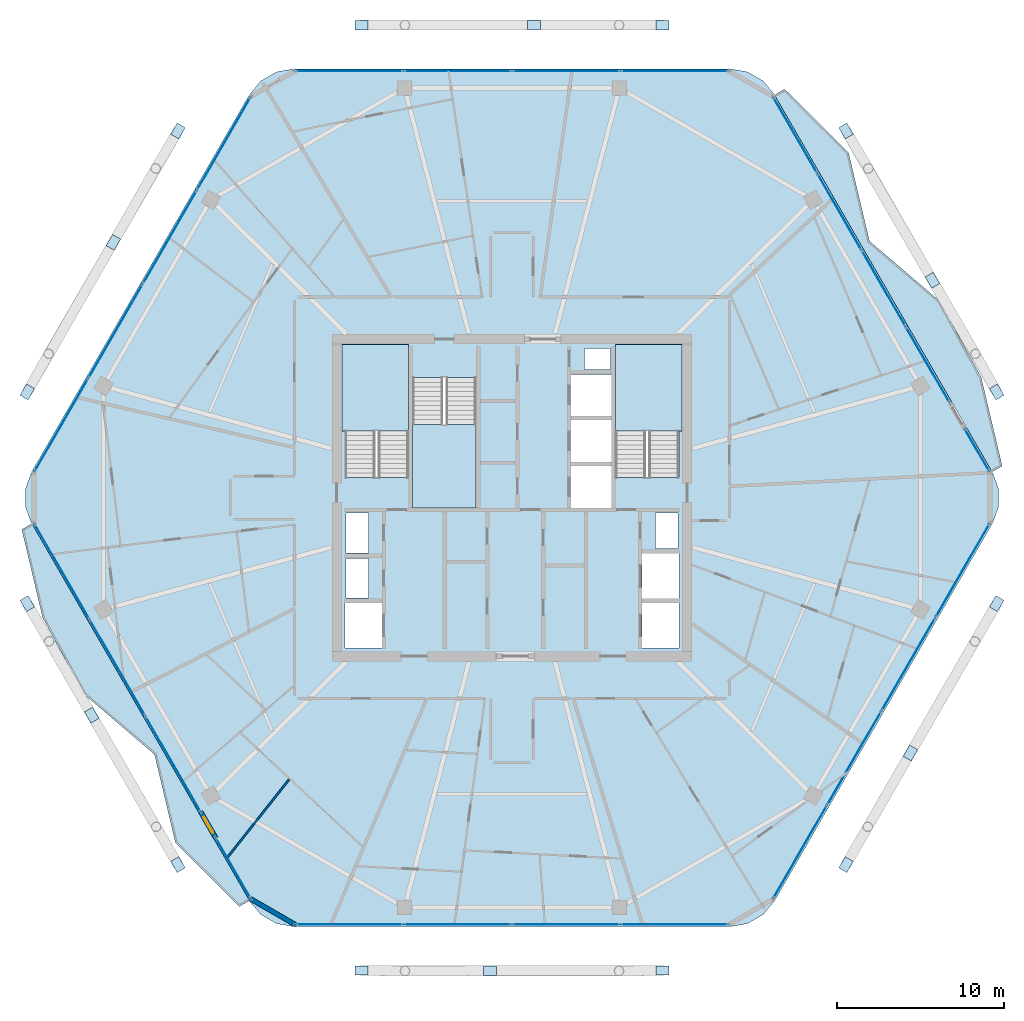
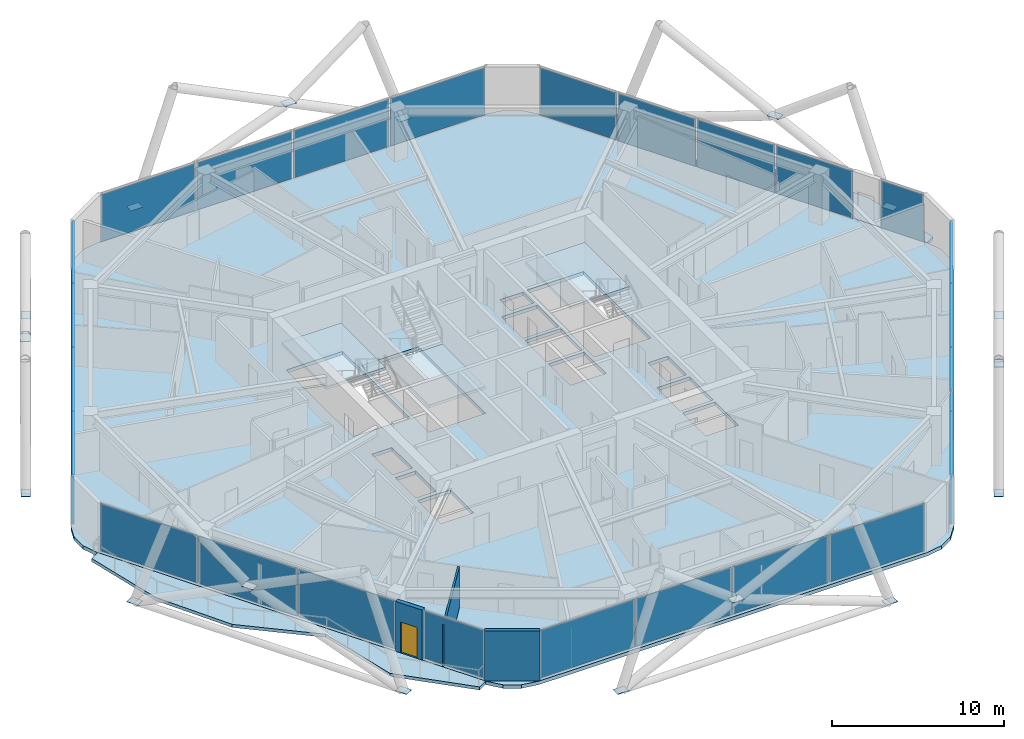
# One storey, part 19 of 27: 43 plates, 6 slabs, 3 walls, 1 door, 1 opening, 11 elements without a shape of their own.
"""IFC4 building model written with IfcOpenShell, lengths in metres."""

from ifc_helpers import new_model, si_unit, direction, frame, frame_2d, origin, origin_2d, place, context, subcontext, project, spatial, polyline, rectangle, outline, extrude, material, layer, layer_set, type_object, element, fill, aggregate, save


model = new_model("IFC4")

# Units and contexts
model_context = context("Model", 3, precision=1e-05, world=origin(), true_north=direction((0.0, 1.0)))
body_context = subcontext(model_context, "Body", "Model", "MODEL_VIEW")
ifc_project = project(units=[si_unit("LENGTHUNIT", "METRE"), si_unit("AREAUNIT", "SQUARE_METRE"), si_unit("VOLUMEUNIT", "CUBIC_METRE"), si_unit("PLANEANGLEUNIT", "RADIAN"), si_unit("MASSUNIT", "GRAM", prefix="KILO")], contexts=[model_context])

# Site, building, storey
site_placement = place(None, origin())
site = spatial("IfcSite", under=ifc_project, at=site_placement, CompositionType="ELEMENT")
building_placement = place(site_placement, origin())
building = spatial("IfcBuilding", under=site, at=building_placement, Name="Zuhravey Tower", CompositionType="ELEMENT")
storey_placement = place(building_placement, frame((0.0, 0.0, 261.60009765625)))
storey = spatial("IfcBuildingStorey", under=building, at=storey_placement, Name="L66", CompositionType="ELEMENT", Elevation=261.60009765625)

# Plates
ifc_material_1 = material(Name="Steel SM460", Category="steel")
ifc_layer_1 = layer(ifc_material_1, 0.031982421875)
ifc_layer_set_1 = layer_set([ifc_layer_1], Name="Steel SM460")
plate_type_1 = type_object("IfcPlateType", Name="Exoskeleton Zone 3 Node Plate ND3", PredefinedType="SHEET", material=ifc_layer_set_1)
for number, where, z_axis, x_axis, name in (
    (1, (65.04345703125, 38.342529296875, -0.47998046875), (0.0, 0.0, 1.0), (-0.5, 0.866025403784, 0.0), "L66 Exoskeleton Node Gusset L66-01"),
    (2, (56.014404296875, 53.981201171875, -0.47998046875), (0.0, 0.0, 1.0), (-0.5, 0.866025403784, 0.0), "L66 Exoskeleton Node Gusset L66-02"),
    (3, (45.029052734375, 60.323486328125, -0.47998046875), (0.0, 0.0, 1.0), (-1.0, 0.0, 0.0), "L66 Exoskeleton Node Gusset L66-03"),
    (4, (26.970947265625, 60.323486328125, -0.47998046875), (0.0, 0.0, 1.0), (-1.0, 0.0, 0.0), "L66 Exoskeleton Node Gusset L66-04"),
    (5, (15.985595703125, 53.981201171875, -0.47998046875), (0.0, 0.0, 1.0), (-0.5, -0.866025403784, 0.0), "L66 Exoskeleton Node Gusset L66-05"),
    (6, (6.95654296875, 38.342529296875, -0.47998046875), (0.0, 0.0, 1.0), (-0.5, -0.866025403784, 0.0), "L66 Exoskeleton Node Gusset L66-06"),
    (7, (6.95654296875, 25.657470703125, -0.47998046875), (0.0, 0.0, 1.0), (0.5, -0.866025403784, 0.0), "L66 Exoskeleton Node Gusset L66-07"),
    (8, (15.985595703125, 10.018798828125, -0.47998046875), (0.0, 0.0, 1.0), (0.5, -0.866025403784, 0.0), "L66 Exoskeleton Node Gusset L66-08"),
    (9, (26.970947265625, 3.676513671875, -0.47998046875), (0.0, 0.0, 1.0), (1.0, 0.0, 0.0), "L66 Exoskeleton Node Gusset L66-09"),
    (10, (45.029052734375, 3.676513671875, -0.47998046875), (0.0, 0.0, 1.0), (1.0, 0.0, 0.0), "L66 Exoskeleton Node Gusset L66-10"),
    (11, (56.014404296875, 10.018798828125, -0.47998046875), (0.0, 0.0, 1.0), (0.5, 0.866025403784, 0.0), "L66 Exoskeleton Node Gusset L66-11"),
    (12, (65.04345703125, 25.657470703125, -0.47998046875), (0.0, 0.0, 1.0), (0.5, 0.866025403784, 0.0), "L66 Exoskeleton Node Gusset L66-12"),
    (13, (61.197265625, 45.0341796875, 3.31982421875), (0.0, 0.0, 1.0), (-0.5, 0.866025403784, 0.0), "L66 Face 1 Diagrid X-Crossing Plate"),
    (14, (37.310791015625, 60.323486328125, 3.31982421875), (0.0, 0.0, 1.0), (-1.0, 0.0, 0.0), "L66 Face 2 Diagrid X-Crossing Plate"),
    (15, (12.11328125, 47.30419921875, 3.31982421875), (0.0, 0.0, 1.0), (-0.5, -0.866025403784, 0.0), "L66 Face 3 Diagrid X-Crossing Plate"),
    (16, (10.815673828125, 18.973388671875, 3.31982421875), (0.0, 0.0, 1.0), (0.5, -0.866025403784, 0.0), "L66 Face 4 Diagrid X-Crossing Plate"),
    (17, (34.689208984375, 3.661376953125, 3.31982421875), (0.0, 0.0, 1.0), (1.0, 0.0, 0.0), "L66 Face 5 Diagrid X-Crossing Plate"),
    (18, (59.87353515625, 16.703125, 3.31982421875), (0.0, 0.0, 1.0), (0.5, 0.866025403784, 0.0), "L66 Face 6 Diagrid X-Crossing Plate"),
):
    element("IfcPlate", number, at=place(storey_placement, frame(where, z_axis=z_axis, x_axis=x_axis)), inside=storey, type_object=plate_type_1, Name=name, PredefinedType="SHEET", context=body_context, shape_type="SweptSolid", body=[
        extrude(rectangle(XDim=0.780029296875, YDim=0.56005859375, at=origin_2d()), origin(), (0.0, 0.0, 1.0), 0.031982421875),
    ])

# Slabs
ifc_material_2 = material(Name="Concrete C50/60", Category="concrete")
ifc_layer_2 = layer(ifc_material_2, 0.25)
ifc_layer_set_2 = layer_set([ifc_layer_2], Name="Concrete C50/60")
slab_type_1 = type_object("IfcSlabType", Name="Residential Acoustic Slab 250", PredefinedType="FLOOR", material=ifc_layer_set_2)
slab_1_placement = place(storey_placement, frame((0.0, 0.0, -0.25)))
element("IfcSlab", 19, at=slab_1_placement, inside=storey, type_object=slab_type_1, Name="L66 Floor Slab FS25", PredefinedType="FLOOR", context=body_context, shape_type="SweptSolid", body=[
    extrude(outline(polyline([(64.78515625, 30.449951171875), (65.1533203125, 31.461669921875), (65.1533203125, 32.538330078125), (64.78515625, 33.550048828125), (51.73486328125, 56.153564453125), (51.04296875, 56.978515625), (50.110595703125, 57.5166015625), (49.05029296875, 57.70361328125), (22.94970703125, 57.70361328125), (21.889404296875, 57.5166015625), (20.95703125, 56.978515625), (20.26513671875, 56.153564453125), (7.21484375, 33.550048828125), (6.8466796875, 32.538330078125), (6.8466796875, 31.461669921875), (7.21484375, 30.449951171875), (20.26513671875, 7.846435546875), (20.95703125, 7.021484375), (21.889404296875, 6.4833984375), (22.94970703125, 6.29638671875), (49.05029296875, 6.29638671875), (50.110595703125, 6.4833984375), (51.04296875, 7.021484375), (51.73486328125, 7.846435546875), (64.78515625, 30.449951171875)]), holes=[polyline([(29.800048828125, 33.20068359375), (29.800048828125, 41.0), (26.0, 41.0), (26.0, 33.20068359375), (29.800048828125, 33.20068359375)]), polyline([(46.0, 33.20068359375), (46.0, 41.0), (42.199951171875, 41.0), (42.199951171875, 33.20068359375), (46.0, 33.20068359375)]), polyline([(30.050048828125, 39.199462890625), (30.050048828125, 31.39990234375), (33.85009765625, 31.39990234375), (33.85009765625, 39.199462890625), (30.050048828125, 39.199462890625)]), polyline([(39.550048828125, 31.39990234375), (41.949951171875, 31.39990234375), (41.949951171875, 33.89990234375), (39.550048828125, 33.89990234375), (39.550048828125, 31.39990234375)]), polyline([(39.550048828125, 34.14990234375), (41.949951171875, 34.14990234375), (41.949951171875, 36.64990234375), (39.550048828125, 36.64990234375), (39.550048828125, 34.14990234375)]), polyline([(39.550048828125, 36.89990234375), (41.949951171875, 36.89990234375), (41.949951171875, 39.39990234375), (39.550048828125, 39.39990234375), (39.550048828125, 36.89990234375)]), polyline([(26.0, 23.0), (28.199951171875, 23.0), (28.199951171875, 25.699951171875), (26.0, 25.699951171875), (26.0, 23.0)]), polyline([(43.800048828125, 23.0), (46.0, 23.0), (46.0, 25.699951171875), (43.800048828125, 25.699951171875), (43.800048828125, 23.0)]), polyline([(43.800048828125, 25.949951171875), (46.0, 25.949951171875), (46.0, 28.64990234375), (43.800048828125, 28.64990234375), (43.800048828125, 25.949951171875)]), polyline([(26.050048828125, 26.0), (27.39990234375, 26.0), (27.39990234375, 28.35009765625), (26.050048828125, 28.35009765625), (26.050048828125, 26.0)]), polyline([(26.050048828125, 28.699951171875), (27.39990234375, 28.699951171875), (27.39990234375, 31.10009765625), (26.050048828125, 31.10009765625), (26.050048828125, 28.699951171875)]), polyline([(44.60009765625, 28.949951171875), (45.949951171875, 28.949951171875), (45.949951171875, 31.10009765625), (44.60009765625, 31.10009765625), (44.60009765625, 28.949951171875)]), polyline([(40.35009765625, 39.699951171875), (41.89990234375, 39.699951171875), (41.89990234375, 40.949951171875), (40.35009765625, 40.949951171875), (40.35009765625, 39.699951171875)])]), origin(), (0.0, 0.0, 1.0), 0.25),
])
ifc_material_3 = material(Name="Concrete C40/50", Category="concrete")
ifc_layer_3 = layer(ifc_material_3, 0.219970703125)
ifc_layer_set_3 = layer_set([ifc_layer_3], Name="Concrete C40/50")
slab_type_2 = type_object("IfcSlabType", Name="Sinusoidal Residential Wave Balcony 220", PredefinedType="FLOOR", material=ifc_layer_set_3)
slab_2_placement = place(storey_placement, frame((0.0, 0.0, -0.22021484375)))
element("IfcSlab", 20, at=slab_2_placement, inside=storey, type_object=slab_type_2, Name="L66 Face 1 Wave Balcony WB22", PredefinedType="FLOOR", context=body_context, shape_type="SweptSolid", body=[
    extrude(outline(polyline([(64.767822265625, 33.550048828125), (51.726318359375, 56.138671875), (52.33251953125, 56.488525390625), (56.1650390625, 52.677734375), (57.420166015625, 47.378662109375), (61.630615234375, 43.785888671875), (64.118896484375, 39.198974609375), (65.3740234375, 33.89990234375), (64.767822265625, 33.550048828125)])), origin(), (0.0, 0.0, 1.0), 0.22021484375),
])
slab_3_placement = place(storey_placement, frame((0.0, 0.0, -0.22021484375)))
element("IfcSlab", 21, at=slab_3_placement, inside=storey, type_object=slab_type_2, Name="L66 Face 4 Wave Balcony WB22", PredefinedType="FLOOR", context=body_context, shape_type="SweptSolid", body=[
    extrude(outline(polyline([(7.232177734375, 30.449951171875), (20.273681640625, 7.861328125), (19.66748046875, 7.511474609375), (15.8349609375, 11.322265625), (14.579833984375, 16.621337890625), (10.369384765625, 20.214111328125), (7.881103515625, 24.801025390625), (6.6259765625, 30.10009765625), (7.232177734375, 30.449951171875)])), origin(), (0.0, 0.0, 1.0), 0.22021484375),
])

# Stair, slab
stair_type = type_object("IfcStairType", Name="Housing Storey Stair Assembly 3800", PredefinedType="HALF_TURN_STAIR", material=ifc_material_3)
stair_1_placement = place(storey_placement, origin())
stair_1 = element("IfcStair", 22, at=stair_1_placement, inside=storey, type_object=stair_type, Name="L66 Core Exit Stair ST1", PredefinedType="HALF_TURN_STAIR")
ifc_layer_4 = layer(ifc_material_3, 0.199951171875)
ifc_layer_set_4 = layer_set([ifc_layer_4], Name="Concrete C40/50")
slab_type_3 = type_object("IfcSlabType", Name="Stair Landing Slab 200", PredefinedType="LANDING", material=ifc_layer_set_4)
slab_4_placement = place(storey_placement, frame((0.0, 0.0, 1.699951171875)))
slab_4 = element("IfcSlab", 23, at=slab_4_placement, type_object=slab_type_3, Name="ST1 landing 1", PredefinedType="LANDING", context=body_context, shape_type="SweptSolid", body=[
    extrude(outline(polyline([(29.800048828125, 36.0), (29.800048828125, 41.197998046875), (25.802001953125, 41.197998046875), (25.802001953125, 36.0), (29.800048828125, 36.0)])), origin(), (0.0, 0.0, 1.0), 0.199951171875),
])
aggregate(stair_1, [slab_4])

stair_2_placement = place(storey_placement, origin())
stair_2 = element("IfcStair", 24, at=stair_2_placement, inside=storey, type_object=stair_type, Name="L66 Core Exit Stair ST2", PredefinedType="HALF_TURN_STAIR")
slab_5_placement = place(storey_placement, frame((0.0, 0.0, 1.699951171875)))
slab_5 = element("IfcSlab", 25, at=slab_5_placement, type_object=slab_type_3, Name="ST2 landing 1", PredefinedType="LANDING", context=body_context, shape_type="SweptSolid", body=[
    extrude(outline(polyline([(46.197998046875, 36.0), (46.197998046875, 41.197998046875), (42.199951171875, 41.197998046875), (42.199951171875, 36.0), (46.197998046875, 36.0)])), origin(), (0.0, 0.0, 1.0), 0.199951171875),
])
aggregate(stair_2, [slab_5])

stair_3_placement = place(storey_placement, origin())
stair_3 = element("IfcStair", 26, at=stair_3_placement, inside=storey, type_object=stair_type, Name="L66 Core Exit Stair ST3", PredefinedType="HALF_TURN_STAIR")
slab_6_placement = place(storey_placement, frame((0.0, 0.0, 1.699951171875)))
slab_6 = element("IfcSlab", 27, at=slab_6_placement, type_object=slab_type_3, Name="ST3 landing 1", PredefinedType="LANDING", context=body_context, shape_type="SweptSolid", body=[
    extrude(outline(polyline([(30.050048828125, 36.39990234375), (30.050048828125, 31.39990234375), (33.85009765625, 31.39990234375), (33.85009765625, 36.39990234375), (30.050048828125, 36.39990234375)])), origin(), (0.0, 0.0, 1.0), 0.199951171875),
])
aggregate(stair_3, [slab_6])

# Curtain wall, plates
ifc_material_4 = material(Name="Thermally broken anodised aluminium", Category="aluminium")
curtain_wall_type = type_object("IfcCurtainWallType", Name="Zone 3-4 High-Rise Curtain Wall CW4", PredefinedType="NOTDEFINED", material=ifc_material_4)
curtain_wall_1_placement = place(storey_placement, origin())
curtain_wall_1 = element("IfcCurtainWall", 28, at=curtain_wall_1_placement, inside=storey, type_object=curtain_wall_type, Name="L66 CW4 CW-L66-F6-1", PredefinedType="NOTDEFINED")
ifc_material_5 = material(Name="Triple low-E insulated vision glass", Category="glass")
ifc_layer_5 = layer(ifc_material_5, 0.0419921875)
ifc_layer_set_5 = layer_set([ifc_layer_5], Name="Triple low-E insulated vision glass")
plate_type_2 = type_object("IfcPlateType", Name="Triple Low-E Vision Panel", PredefinedType="CURTAIN_PANEL", material=ifc_layer_set_5)
plate_1_placement = place(storey_placement, frame((63.00732421875, 27.650634765625, 0.08984375), z_axis=(0.0, 0.0, 1.0), x_axis=(-0.500000957414, -0.866024851021, 0.0)))
plate_1 = element("IfcPlate", 29, at=plate_1_placement, type_object=plate_type_2, Name="CW4 panel 1.1", PredefinedType="CURTAIN_PANEL", context=body_context, shape_type="SweptSolid", body=[
    extrude(rectangle(XDim=6.371337890625, YDim=0.0419921875, at=origin_2d()), origin(), (0.0, 0.0, 1.0), 3.3701171875),
])
plate_2_placement = place(storey_placement, frame((59.765380859375, 22.03564453125, 0.08984375), z_axis=(0.0, 0.0, 1.0), x_axis=(-0.500000957414, -0.866024851021, 0.0)))
plate_2 = element("IfcPlate", 30, at=plate_2_placement, type_object=plate_type_2, Name="CW4 panel 2.1", PredefinedType="CURTAIN_PANEL", context=body_context, shape_type="SweptSolid", body=[
    extrude(rectangle(XDim=6.416259765625, YDim=0.0419921875, at=origin_2d()), origin(), (0.0, 0.0, 1.0), 3.3701171875),
])
plate_3_placement = place(storey_placement, frame((56.51220703125, 16.40087890625, 0.08984375), z_axis=(0.0, 0.0, 1.0), x_axis=(-0.500000957414, -0.866024851021, 0.0)))
plate_3 = element("IfcPlate", 31, at=plate_3_placement, type_object=plate_type_2, Name="CW4 panel 3.1", PredefinedType="CURTAIN_PANEL", context=body_context, shape_type="SweptSolid", body=[
    extrude(rectangle(XDim=6.416259765625, YDim=0.0419921875, at=origin_2d()), origin(), (0.0, 0.0, 1.0), 3.3701171875),
])
plate_4_placement = place(storey_placement, frame((53.270263671875, 10.78564453125, 0.08984375), z_axis=(0.0, 0.0, 1.0), x_axis=(-0.500000957414, -0.866024851021, 0.0)))
plate_4 = element("IfcPlate", 32, at=plate_4_placement, type_object=plate_type_2, Name="CW4 panel 4.1", PredefinedType="CURTAIN_PANEL", context=body_context, shape_type="SweptSolid", body=[
    extrude(rectangle(XDim=6.371337890625, YDim=0.0419921875, at=origin_2d()), origin(), (0.0, 0.0, 1.0), 3.3701171875),
])
aggregate(curtain_wall_1, [plate_1, plate_2, plate_3, plate_4])

curtain_wall_2_placement = place(storey_placement, origin())
curtain_wall_2 = element("IfcCurtainWall", 33, at=curtain_wall_2_placement, inside=storey, type_object=curtain_wall_type, Name="L66 CW4 CW-L66-F5-1", PredefinedType="NOTDEFINED")
plate_5_placement = place(storey_placement, frame((45.737060546875, 6.436279296875, 0.08984375), z_axis=(0.0, 0.0, 1.0), x_axis=(-1.0, 0.0, 0.0)))
plate_5 = element("IfcPlate", 34, at=plate_5_placement, type_object=plate_type_2, Name="CW4 panel 1.1", PredefinedType="CURTAIN_PANEL", context=body_context, shape_type="SweptSolid", body=[
    extrude(rectangle(XDim=6.371337890625, YDim=0.0419921875, at=origin_2d()), origin(), (0.0, 0.0, 1.0), 3.3701171875),
])
plate_6_placement = place(storey_placement, frame((39.253173828125, 6.436279296875, 0.08984375), z_axis=(0.0, 0.0, 1.0), x_axis=(-1.0, 0.0, 0.0)))
plate_6 = element("IfcPlate", 35, at=plate_6_placement, type_object=plate_type_2, Name="CW4 panel 2.1", PredefinedType="CURTAIN_PANEL", context=body_context, shape_type="SweptSolid", body=[
    extrude(rectangle(XDim=6.416259765625, YDim=0.0419921875, at=origin_2d()), origin(), (0.0, 0.0, 1.0), 3.3701171875),
])
plate_7_placement = place(storey_placement, frame((32.746826171875, 6.436279296875, 0.08984375), z_axis=(0.0, 0.0, 1.0), x_axis=(-1.0, 0.0, 0.0)))
plate_7 = element("IfcPlate", 36, at=plate_7_placement, type_object=plate_type_2, Name="CW4 panel 3.1", PredefinedType="CURTAIN_PANEL", context=body_context, shape_type="SweptSolid", body=[
    extrude(rectangle(XDim=6.416259765625, YDim=0.0419921875, at=origin_2d()), origin(), (0.0, 0.0, 1.0), 3.3701171875),
])
plate_8_placement = place(storey_placement, frame((26.262939453125, 6.436279296875, 0.08984375), z_axis=(0.0, 0.0, 1.0), x_axis=(-1.0, 0.0, 0.0)))
plate_8 = element("IfcPlate", 37, at=plate_8_placement, type_object=plate_type_2, Name="CW4 panel 4.1", PredefinedType="CURTAIN_PANEL", context=body_context, shape_type="SweptSolid", body=[
    extrude(rectangle(XDim=6.371337890625, YDim=0.0419921875, at=origin_2d()), origin(), (0.0, 0.0, 1.0), 3.3701171875),
])
aggregate(curtain_wall_2, [plate_5, plate_6, plate_7, plate_8])

# Curtain wall, plate
curtain_wall_3_placement = place(storey_placement, origin())
curtain_wall_3 = element("IfcCurtainWall", 38, at=curtain_wall_3_placement, inside=storey, type_object=curtain_wall_type, Name="L66 CW4 CW-L66-F4-1", PredefinedType="NOTDEFINED")
plate_9_placement = place(storey_placement, frame((19.296875, 9.80322265625, 0.08984375), z_axis=(0.0, 0.0, 1.0), x_axis=(-0.500004084278, 0.866023045713, 0.0)))
plate_9 = element("IfcPlate", 39, at=plate_9_placement, type_object=plate_type_2, Name="CW4 panel 1.1", PredefinedType="CURTAIN_PANEL", context=body_context, shape_type="SweptSolid", body=[
    extrude(rectangle(XDim=4.1025390625, YDim=0.0419921875, at=origin_2d()), origin(), (0.0, 0.0, 1.0), 3.3701171875),
])
aggregate(curtain_wall_3, [plate_9])

# Curtain wall, plates
curtain_wall_4_placement = place(storey_placement, origin())
curtain_wall_4 = element("IfcCurtainWall", 40, at=curtain_wall_4_placement, inside=storey, type_object=curtain_wall_type, Name="L66 CW4 CW-L66-F4-2", PredefinedType="NOTDEFINED")
plate_10_placement = place(storey_placement, frame((15.69482421875, 16.042236328125, 0.08984375), z_axis=(0.0, 0.0, 1.0), x_axis=(-0.49999943748, 0.866025728555, 0.0)))
plate_10 = element("IfcPlate", 41, at=plate_10_placement, type_object=plate_type_2, Name="CW4 panel 1.1", PredefinedType="CURTAIN_PANEL", context=body_context, shape_type="SweptSolid", body=[
    extrude(rectangle(XDim=6.5458984375, YDim=0.0419921875, at=origin_2d()), origin(), (0.0, 0.0, 1.0), 3.3701171875),
])
plate_11_placement = place(storey_placement, frame((12.365478515625, 21.80859375, 0.08984375), z_axis=(0.0, 0.0, 1.0), x_axis=(-0.49999943748, 0.866025728555, 0.0)))
plate_11 = element("IfcPlate", 42, at=plate_11_placement, type_object=plate_type_2, Name="CW4 panel 2.1", PredefinedType="CURTAIN_PANEL", context=body_context, shape_type="SweptSolid", body=[
    extrude(rectangle(XDim=6.5908203125, YDim=0.0419921875, at=origin_2d()), origin(), (0.0, 0.0, 1.0), 3.3701171875),
])
plate_12_placement = place(storey_placement, frame((9.036376953125, 27.5751953125, 0.08984375), z_axis=(0.0, 0.0, 1.0), x_axis=(-0.49999943748, 0.866025728555, 0.0)))
plate_12 = element("IfcPlate", 43, at=plate_12_placement, type_object=plate_type_2, Name="CW4 panel 3.1", PredefinedType="CURTAIN_PANEL", context=body_context, shape_type="SweptSolid", body=[
    extrude(rectangle(XDim=6.5458984375, YDim=0.0419921875, at=origin_2d()), origin(), (0.0, 0.0, 1.0), 3.3701171875),
])
aggregate(curtain_wall_4, [plate_10, plate_11, plate_12])

curtain_wall_5_placement = place(storey_placement, origin())
curtain_wall_5 = element("IfcCurtainWall", 44, at=curtain_wall_5_placement, inside=storey, type_object=curtain_wall_type, Name="L66 CW4 CW-L66-F3-1", PredefinedType="NOTDEFINED")
plate_13_placement = place(storey_placement, frame((8.99267578125, 36.349365234375, 0.08984375), z_axis=(0.0, 0.0, 1.0), x_axis=(0.500000957414, 0.866024851021, 0.0)))
plate_13 = element("IfcPlate", 45, at=plate_13_placement, type_object=plate_type_2, Name="CW4 panel 1.1", PredefinedType="CURTAIN_PANEL", context=body_context, shape_type="SweptSolid", body=[
    extrude(rectangle(XDim=6.371337890625, YDim=0.0419921875, at=origin_2d()), origin(), (0.0, 0.0, 1.0), 3.3701171875),
])
plate_14_placement = place(storey_placement, frame((12.234619140625, 41.96435546875, 0.08984375), z_axis=(0.0, 0.0, 1.0), x_axis=(0.500000957414, 0.866024851021, 0.0)))
plate_14 = element("IfcPlate", 46, at=plate_14_placement, type_object=plate_type_2, Name="CW4 panel 2.1", PredefinedType="CURTAIN_PANEL", context=body_context, shape_type="SweptSolid", body=[
    extrude(rectangle(XDim=6.416259765625, YDim=0.0419921875, at=origin_2d()), origin(), (0.0, 0.0, 1.0), 3.3701171875),
])
plate_15_placement = place(storey_placement, frame((15.48779296875, 47.59912109375, 0.08984375), z_axis=(0.0, 0.0, 1.0), x_axis=(0.500000957414, 0.866024851021, 0.0)))
plate_15 = element("IfcPlate", 47, at=plate_15_placement, type_object=plate_type_2, Name="CW4 panel 3.1", PredefinedType="CURTAIN_PANEL", context=body_context, shape_type="SweptSolid", body=[
    extrude(rectangle(XDim=6.416259765625, YDim=0.0419921875, at=origin_2d()), origin(), (0.0, 0.0, 1.0), 3.3701171875),
])
plate_16_placement = place(storey_placement, frame((18.729736328125, 53.21435546875, 0.08984375), z_axis=(0.0, 0.0, 1.0), x_axis=(0.500000957414, 0.866024851021, 0.0)))
plate_16 = element("IfcPlate", 48, at=plate_16_placement, type_object=plate_type_2, Name="CW4 panel 4.1", PredefinedType="CURTAIN_PANEL", context=body_context, shape_type="SweptSolid", body=[
    extrude(rectangle(XDim=6.371337890625, YDim=0.0419921875, at=origin_2d()), origin(), (0.0, 0.0, 1.0), 3.3701171875),
])
aggregate(curtain_wall_5, [plate_13, plate_14, plate_15, plate_16])

curtain_wall_6_placement = place(storey_placement, origin())
curtain_wall_6 = element("IfcCurtainWall", 49, at=curtain_wall_6_placement, inside=storey, type_object=curtain_wall_type, Name="L66 CW4 CW-L66-F2-1", PredefinedType="NOTDEFINED")
plate_17_placement = place(storey_placement, frame((26.262939453125, 57.563720703125, 0.08984375), z_axis=(0.0, 0.0, 1.0), x_axis=(1.0, 0.0, 0.0)))
plate_17 = element("IfcPlate", 50, at=plate_17_placement, type_object=plate_type_2, Name="CW4 panel 1.1", PredefinedType="CURTAIN_PANEL", context=body_context, shape_type="SweptSolid", body=[
    extrude(rectangle(XDim=6.371337890625, YDim=0.0419921875, at=origin_2d()), origin(), (0.0, 0.0, 1.0), 3.3701171875),
])
plate_18_placement = place(storey_placement, frame((32.746826171875, 57.563720703125, 0.08984375), z_axis=(0.0, 0.0, 1.0), x_axis=(1.0, 0.0, 0.0)))
plate_18 = element("IfcPlate", 51, at=plate_18_placement, type_object=plate_type_2, Name="CW4 panel 2.1", PredefinedType="CURTAIN_PANEL", context=body_context, shape_type="SweptSolid", body=[
    extrude(rectangle(XDim=6.416259765625, YDim=0.0419921875, at=origin_2d()), origin(), (0.0, 0.0, 1.0), 3.3701171875),
])
plate_19_placement = place(storey_placement, frame((39.253173828125, 57.563720703125, 0.08984375), z_axis=(0.0, 0.0, 1.0), x_axis=(1.0, 0.0, 0.0)))
plate_19 = element("IfcPlate", 52, at=plate_19_placement, type_object=plate_type_2, Name="CW4 panel 3.1", PredefinedType="CURTAIN_PANEL", context=body_context, shape_type="SweptSolid", body=[
    extrude(rectangle(XDim=6.416259765625, YDim=0.0419921875, at=origin_2d()), origin(), (0.0, 0.0, 1.0), 3.3701171875),
])
plate_20_placement = place(storey_placement, frame((45.737060546875, 57.563720703125, 0.08984375), z_axis=(0.0, 0.0, 1.0), x_axis=(1.0, 0.0, 0.0)))
plate_20 = element("IfcPlate", 53, at=plate_20_placement, type_object=plate_type_2, Name="CW4 panel 4.1", PredefinedType="CURTAIN_PANEL", context=body_context, shape_type="SweptSolid", body=[
    extrude(rectangle(XDim=6.371337890625, YDim=0.0419921875, at=origin_2d()), origin(), (0.0, 0.0, 1.0), 3.3701171875),
])
aggregate(curtain_wall_6, [plate_17, plate_18, plate_19, plate_20])

curtain_wall_7_placement = place(storey_placement, origin())
curtain_wall_7 = element("IfcCurtainWall", 54, at=curtain_wall_7_placement, inside=storey, type_object=curtain_wall_type, Name="L66 CW4 CW-L66-F1-1", PredefinedType="NOTDEFINED")
plate_21_placement = place(storey_placement, frame((52.971923828125, 53.730712890625, 0.08984375), z_axis=(0.0, 0.0, 1.0), x_axis=(0.499999534216, -0.866025672705, 0.0)))
plate_21 = element("IfcPlate", 55, at=plate_21_placement, type_object=plate_type_2, Name="CW4 panel 1.1", PredefinedType="CURTAIN_PANEL", context=body_context, shape_type="SweptSolid", body=[
    extrude(rectangle(XDim=5.178466796875, YDim=0.0419921875, at=origin_2d()), origin(), (0.0, 0.0, 1.0), 3.3701171875),
])
plate_22_placement = place(storey_placement, frame((55.61767578125, 49.148681640625, 0.08984375), z_axis=(0.0, 0.0, 1.0), x_axis=(0.499999534216, -0.866025672705, 0.0)))
plate_22 = element("IfcPlate", 56, at=plate_22_placement, type_object=plate_type_2, Name="CW4 panel 2.1", PredefinedType="CURTAIN_PANEL", context=body_context, shape_type="SweptSolid", body=[
    extrude(rectangle(XDim=5.2236328125, YDim=0.0419921875, at=origin_2d()), origin(), (0.0, 0.0, 1.0), 3.3701171875),
])
plate_23_placement = place(storey_placement, frame((58.2744140625, 44.546875, 0.08984375), z_axis=(0.0, 0.0, 1.0), x_axis=(0.499999534216, -0.866025672705, 0.0)))
plate_23 = element("IfcPlate", 57, at=plate_23_placement, type_object=plate_type_2, Name="CW4 panel 3.1", PredefinedType="CURTAIN_PANEL", context=body_context, shape_type="SweptSolid", body=[
    extrude(rectangle(XDim=5.2236328125, YDim=0.0419921875, at=origin_2d()), origin(), (0.0, 0.0, 1.0), 3.3701171875),
])
plate_24_placement = place(storey_placement, frame((60.919921875, 39.96484375, 0.08984375), z_axis=(0.0, 0.0, 1.0), x_axis=(0.499999534216, -0.866025672705, 0.0)))
plate_24 = element("IfcPlate", 58, at=plate_24_placement, type_object=plate_type_2, Name="CW4 panel 4.1", PredefinedType="CURTAIN_PANEL", context=body_context, shape_type="SweptSolid", body=[
    extrude(rectangle(XDim=5.178466796875, YDim=0.0419921875, at=origin_2d()), origin(), (0.0, 0.0, 1.0), 3.3701171875),
])
aggregate(curtain_wall_7, [plate_21, plate_22, plate_23, plate_24])

# Curtain wall, plate
curtain_wall_8_placement = place(storey_placement, origin())
curtain_wall_8 = element("IfcCurtainWall", 59, at=curtain_wall_8_placement, inside=storey, type_object=curtain_wall_type, Name="L66 CW4 CW-L66-F1-2", PredefinedType="NOTDEFINED")
plate_25_placement = place(storey_placement, frame((63.877197265625, 34.84228515625, 0.08984375), z_axis=(0.0, 0.0, 1.0), x_axis=(0.500005247766, -0.866022373964, 0.0)))
plate_25 = element("IfcPlate", 60, at=plate_25_placement, type_object=plate_type_2, Name="CW4 panel 1.1", PredefinedType="CURTAIN_PANEL", context=body_context, shape_type="SweptSolid", body=[
    extrude(rectangle(XDim=2.89111328125, YDim=0.0419921875, at=origin_2d()), origin(), (0.0, 0.0, 1.0), 3.3701171875),
])
aggregate(curtain_wall_8, [plate_25])

# Wall
ifc_material_6 = material(Name="Precast concrete C40/50", Category="concrete")
ifc_layer_6 = layer(ifc_material_6, 0.280029296875)
ifc_layer_set_6 = layer_set([ifc_layer_6], Name="Precast concrete C40/50")
wall_type_1 = type_object("IfcWallType", Name="Crown Architectural Wall 280", PredefinedType="SOLIDWALL", material=ifc_layer_set_6)
wall_1_placement = place(storey_placement, frame((23.069580078125, 6.388916015625, 0.0), z_axis=(0.0, 0.0, 1.0), x_axis=(-0.866028773314, 0.499994163758, 0.0)))
element("IfcWall", 61, at=wall_1_placement, inside=storey, type_object=wall_type_1, Name="L66 Rounded Corner Closure Wall EW28-04", PredefinedType="SOLIDWALL", context=body_context, shape_type="SweptSolid", body=[
    extrude(rectangle(XDim=3.21484375, YDim=0.280029296875, at=frame_2d((1.607421875, 0.0))), origin(), (0.0, 0.0, 1.0), 3.5498046875),
])

# Wall, opening, door
wall_2_placement = place(storey_placement, frame((18.248779296875, 11.61865234375, 0.0), z_axis=(0.0, 0.0, 1.0), x_axis=(-0.499982180423, 0.866035691677, 0.0)))
wall_2 = element("IfcWall", 62, at=wall_2_placement, inside=storey, type_object=wall_type_1, Name="L66 Face 4 Facade Pier EW28-1", PredefinedType="SOLIDWALL", context=body_context, shape_type="SweptSolid", body=[
    extrude(rectangle(XDim=1.7900390625, YDim=0.280029296875, at=frame_2d((0.89501953125, 0.0))), origin(), (0.0, 0.0, 1.0), 3.5498046875),
])
opening_placement = place(wall_2_placement, frame((0.344970703125, 0.0, 0.0)))
opening = element("IfcOpeningElement", 63, at=opening_placement, cuts=wall_2, Name="Opening BLD1", PredefinedType="OPENING", context=body_context, shape_type="SweptSolid", body=[
    extrude(rectangle(XDim=1.10009765625, YDim=2.199951171875, at=frame_2d((0.550048828125, 1.10009765625))), frame((0.0, 0.152099609375, 0.0), z_axis=(0.0, -1.0, 0.0), x_axis=(1.0, 0.0, 0.0)), (0.0, 0.0, 1.0), 0.303955078125),
])
ifc_material_7 = material(Name="Thermally broken aluminium and low-E glass", Category="aluminium")
door_type = type_object("IfcDoorType", Name="Balcony & Sky-Tray Glazed Door 1100x2200", OperationType="NOTDEFINED", PredefinedType="DOOR", material=ifc_material_7)
door_placement = place(opening_placement, frame((1.10009765625, 0.0, 0.0), z_axis=(0.0, 0.0, 1.0), x_axis=(-1.0, 0.0, 0.0)))
door = element("IfcDoor", 64, at=door_placement, inside=storey, type_object=door_type, Name="L66 Face 4 Wave Balcony Door", OperationType="SINGLE_SWING_LEFT", OverallHeight=2.199951171875, OverallWidth=1.10009765625, PredefinedType="DOOR", context=body_context, shape_type="SweptSolid", body=[
    extrude(rectangle(XDim=1.10009765625, YDim=2.199951171875, at=frame_2d((0.550048828125, 1.10009765625))), frame((0.0, 0.02490234375, 0.0), z_axis=(0.0, -1.0, 0.0), x_axis=(1.0, 0.0, 0.0)), (0.0, 0.0, 1.0), 0.050048828125),
])
fill(opening, door)

# Wall
ifc_material_8 = material(Name="Gypsum metal-stud partition")
ifc_layer_7 = layer(ifc_material_8, 0.1201171875)
ifc_layer_set_7 = layer_set([ifc_layer_7], Name="Gypsum metal-stud partition")
wall_type_2 = type_object("IfcWallType", Name="Unit Internal Partition 120", PredefinedType="PARTITIONING", material=ifc_layer_set_7)
wall_3_placement = place(storey_placement, frame((22.636962890625, 15.112548828125, 0.0), z_axis=(0.0, 0.0, 1.0), x_axis=(-0.62053305621, -0.784180289315, 0.0)))
element("IfcWall", 65, at=wall_3_placement, inside=storey, type_object=wall_type_2, Name="L66 IW12 Partition 076", PredefinedType="PARTITIONING", context=body_context, shape_type="SweptSolid", body=[
    extrude(rectangle(XDim=6.000244140625, YDim=0.1201171875, at=frame_2d((3.0, 0.0))), origin(), (0.0, 0.0, 1.0), 2.929931640625),
])

save(model, "model.ifc")
